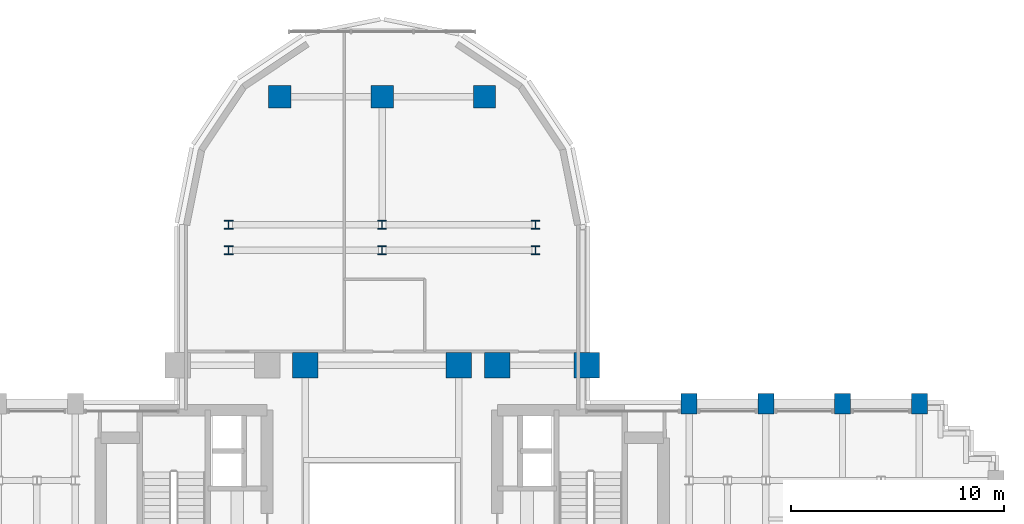
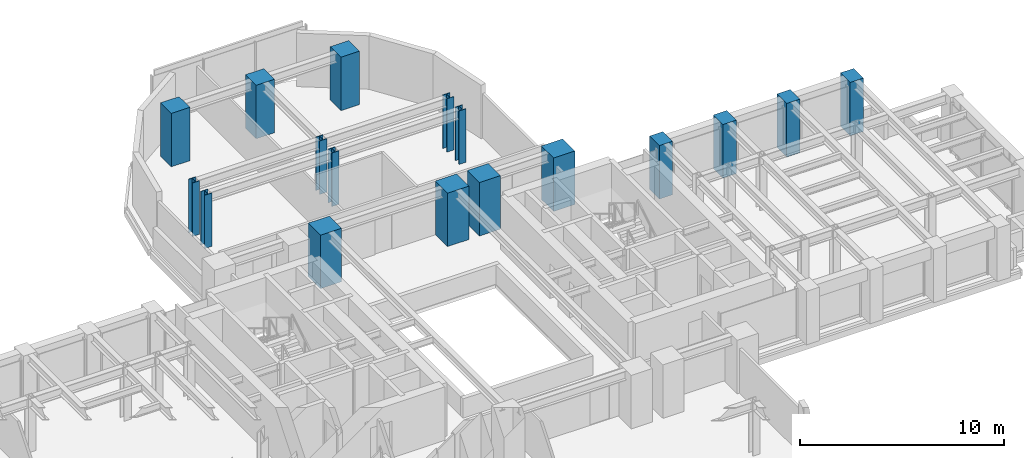
# One storey, part 2 of 16: 17 columns.
"""IFC4 building model written with IfcOpenShell, lengths in metres."""

from ifc_helpers import new_model, si_unit, direction, frame, origin, origin_2d, place, context, subcontext, project, spatial, rectangle, i_section, extrude, source, transform, mapped, material, material_profile, profile_set, type_object, element, save


model = new_model("IFC4")

# Units and contexts
model_context = context("Model", 3, precision=1e-05, world=origin(), true_north=direction((0.0, 1.0)))
body_context = subcontext(model_context, "Body", "Model", "MODEL_VIEW")
ifc_project = project(units=[si_unit("LENGTHUNIT", "METRE"), si_unit("AREAUNIT", "SQUARE_METRE"), si_unit("VOLUMEUNIT", "CUBIC_METRE"), si_unit("PLANEANGLEUNIT", "RADIAN"), si_unit("MASSUNIT", "GRAM", prefix="KILO")], contexts=[model_context])

# Site, building, storey
site_placement = place(None, origin())
site = spatial("IfcSite", under=ifc_project, at=site_placement, CompositionType="ELEMENT")
building_placement = place(site_placement, origin())
building = spatial("IfcBuilding", under=site, at=building_placement, Name="Keilestroom Media Tower", CompositionType="ELEMENT")
storey_placement = place(building_placement, frame((0.0, 0.0, 37.39990234375)))
storey = spatial("IfcBuildingStorey", under=building, at=storey_placement, Name="L08", CompositionType="ELEMENT", Elevation=37.39990234375)

# Columns
ifc_material_1 = material(Name="Precast concrete C40/50", Category="concrete")
ifc_material_profile_1 = material_profile(ifc_material_1, rectangle(XDim=0.75, YDim=0.949951171875, at=origin_2d()), Name="PC 950x750")
ifc_profile_set_1 = profile_set([ifc_material_profile_1], Name="Precast concrete C40/50")
column_type_1 = type_object("IfcColumnType", Name="Structural-Column-PC-950x750", PredefinedType="COLUMN", material=ifc_profile_set_1)
shared_shape_1 = source(origin(), body_context, "Body", "SweptSolid", [
    extrude(rectangle(XDim=0.75, YDim=0.949951171875, at=origin_2d()), origin(), (0.0, 0.0, 1.0), 3.2001953125),
])
for number, where, z_axis, x_axis, name in (
    (1, (14.39990234375, 7.199951171875, 0.0), (0.0, 0.0, 1.0), (1.0, 0.0, 0.0), "L08 Column PC-1 (+14.4,+7.2)"),
    (2, (18.0, 7.199951171875, 0.0), (0.0, 0.0, 1.0), (1.0, 0.0, 0.0), "L08 Column PC-1 (+18.0,+7.2)"),
    (3, (21.60009765625, 7.199951171875, 0.0), (0.0, 0.0, 1.0), (1.0, 0.0, 0.0), "L08 Column PC-1 (+21.6,+7.2)"),
    (4, (25.199951171875, 7.199951171875, 0.0), (0.0, 0.0, 1.0), (1.0, 0.0, 0.0), "L08 Column PC-1 (+25.2,+7.2)"),
):
    element("IfcColumn", number, at=place(storey_placement, frame(where, z_axis=z_axis, x_axis=x_axis)), inside=storey, type_object=column_type_1, Name=name, PredefinedType="COLUMN", context=body_context, shape_type="MappedRepresentation", body=[
        mapped(shared_shape_1, transform((0.0, 0.0, 0.0), x_axis=(1.0, 0.0, 0.0), y_axis=(0.0, 1.0, 0.0), z_axis=(0.0, 0.0, 1.0), scale=1.0)),
    ])
ifc_material_2 = material(Name="Steel S460", Category="steel")
ifc_material_profile_2 = material_profile(ifc_material_2, i_section(OverallWidth=0.404052734375, OverallDepth=0.406982421875, WebThickness=0.02197265625, FlangeThickness=0.035400390625, at=origin_2d()), Name="HD 400x347")
ifc_profile_set_2 = profile_set([ifc_material_profile_2], Name="Steel S460")
column_type_2 = type_object("IfcColumnType", Name="Structural-Column-HD-400x347", PredefinedType="COLUMN", material=ifc_profile_set_2)
shared_shape_2 = source(origin(), body_context, "Body", "SweptSolid", [
    extrude(i_section(OverallWidth=0.404052734375, OverallDepth=0.406982421875, WebThickness=0.02197265625, FlangeThickness=0.035400390625, at=origin_2d()), origin(), (0.0, 0.0, 1.0), 3.2001953125),
])
for number, where, z_axis, x_axis, name in (
    (5, (-7.199951171875, 14.39990234375, 0.0), (0.0, 0.0, 1.0), (1.0, 0.0, 0.0), "L08 Column SC-2 (-7.2,+14.4)"),
    (6, (-7.199951171875, 15.60009765625, 0.0), (0.0, 0.0, 1.0), (1.0, 0.0, 0.0), "L08 Column SC-2 (-7.2,+15.6)"),
    (7, (0.0, 14.39990234375, 0.0), (0.0, 0.0, 1.0), (1.0, 0.0, 0.0), "L08 Column SC-2 (+0.0,+14.4)"),
    (8, (0.0, 15.60009765625, 0.0), (0.0, 0.0, 1.0), (1.0, 0.0, 0.0), "L08 Column SC-2 (+0.0,+15.6)"),
    (9, (7.199951171875, 14.39990234375, 0.0), (0.0, 0.0, 1.0), (1.0, 0.0, 0.0), "L08 Column SC-2 (+7.2,+14.4)"),
    (10, (7.199951171875, 15.60009765625, 0.0), (0.0, 0.0, 1.0), (1.0, 0.0, 0.0), "L08 Column SC-2 (+7.2,+15.6)"),
):
    element("IfcColumn", number, at=place(storey_placement, frame(where, z_axis=z_axis, x_axis=x_axis)), inside=storey, type_object=column_type_2, Name=name, PredefinedType="COLUMN", context=body_context, shape_type="MappedRepresentation", body=[
        mapped(shared_shape_2, transform((0.0, 0.0, 0.0), x_axis=(1.0, 0.0, 0.0), y_axis=(0.0, 1.0, 0.0), z_axis=(0.0, 0.0, 1.0), scale=1.0)),
    ])
ifc_material_3 = material(Name="Concrete C70/85", Category="concrete")
ifc_material_profile_3 = material_profile(ifc_material_3, rectangle(XDim=1.199951171875, YDim=1.199951171875, at=origin_2d()), Name="RC 1200x1200")
ifc_profile_set_3 = profile_set([ifc_material_profile_3], Name="Concrete C70/85")
column_type_3 = type_object("IfcColumnType", Name="Structural-Column-RC-1200x1200", PredefinedType="COLUMN", material=ifc_profile_set_3)
shared_shape_3 = source(origin(), body_context, "Body", "SweptSolid", [
    extrude(rectangle(XDim=1.199951171875, YDim=1.199951171875, at=origin_2d()), origin(), (0.0, 0.0, 1.0), 3.2001953125),
])
for number, where, z_axis, x_axis, name in (
    (11, (-3.60009765625, 9.0, 0.0), (0.0, 0.0, 1.0), (1.0, 0.0, 0.0), "L08 Column MC-2 (-3.6,+9.0)"),
    (12, (3.60009765625, 9.0, 0.0), (0.0, 0.0, 1.0), (1.0, 0.0, 0.0), "L08 Column MC-2 (+3.6,+9.0)"),
    (13, (5.39990234375, 9.0, 0.0), (0.0, 0.0, 1.0), (1.0, 0.0, 0.0), "L08 Column MC-2 (+5.4,+9.0)"),
    (14, (9.60009765625, 9.0, 0.0), (0.0, 0.0, 1.0), (1.0, 0.0, 0.0), "L08 Column MC-2 (+9.6,+9.0)"),
):
    element("IfcColumn", number, at=place(storey_placement, frame(where, z_axis=z_axis, x_axis=x_axis)), inside=storey, type_object=column_type_3, Name=name, PredefinedType="COLUMN", context=body_context, shape_type="MappedRepresentation", body=[
        mapped(shared_shape_3, transform((0.0, 0.0, 0.0), x_axis=(1.0, 0.0, 0.0), y_axis=(0.0, 1.0, 0.0), z_axis=(0.0, 0.0, 1.0), scale=1.0)),
    ])
ifc_material_4 = material(Name="Concrete C55/67", Category="concrete")
ifc_material_profile_4 = material_profile(ifc_material_4, rectangle(XDim=1.050048828125, YDim=1.050048828125, at=origin_2d()), Name="RC 1050x1050")
ifc_profile_set_4 = profile_set([ifc_material_profile_4], Name="Concrete C55/67")
column_type_4 = type_object("IfcColumnType", Name="Structural-Column-RC-1050x1050", PredefinedType="COLUMN", material=ifc_profile_set_4)
shared_shape_4 = source(origin(), body_context, "Body", "SweptSolid", [
    extrude(rectangle(XDim=1.050048828125, YDim=1.050048828125, at=origin_2d()), origin(), (0.0, 0.0, 1.0), 3.2001953125),
])
for number, where, z_axis, x_axis, name in (
    (15, (-4.800048828125, 21.60009765625, 0.0), (0.0, 0.0, 1.0), (1.0, 0.0, 0.0), "L08 Column MC-3 (-4.8,+21.6)"),
    (16, (0.0, 21.60009765625, 0.0), (0.0, 0.0, 1.0), (1.0, 0.0, 0.0), "L08 Column MC-3 (+0.0,+21.6)"),
    (17, (4.800048828125, 21.60009765625, 0.0), (0.0, 0.0, 1.0), (1.0, 0.0, 0.0), "L08 Column MC-3 (+4.8,+21.6)"),
):
    element("IfcColumn", number, at=place(storey_placement, frame(where, z_axis=z_axis, x_axis=x_axis)), inside=storey, type_object=column_type_4, Name=name, PredefinedType="COLUMN", context=body_context, shape_type="MappedRepresentation", body=[
        mapped(shared_shape_4, transform((0.0, 0.0, 0.0), x_axis=(1.0, 0.0, 0.0), y_axis=(0.0, 1.0, 0.0), z_axis=(0.0, 0.0, 1.0), scale=1.0)),
    ])

save(model, "model.ifc")
